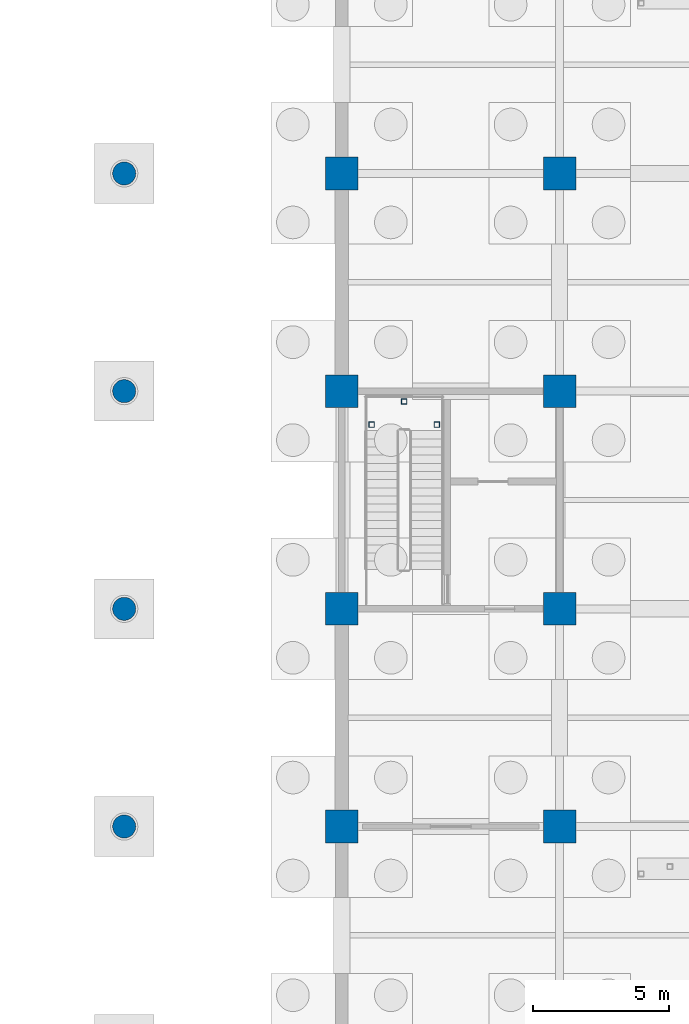
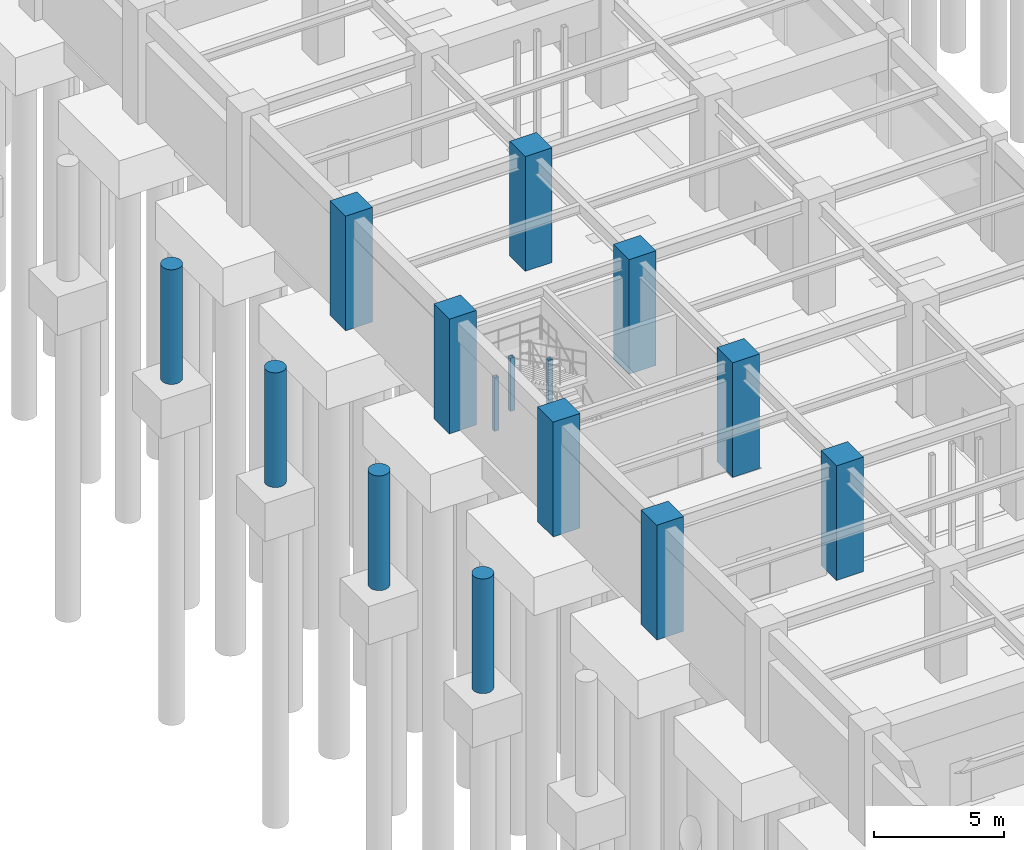
# One storey, part 41 of 97: 15 columns.
"""IFC4 building model written with IfcOpenShell, lengths in metres."""

from ifc_helpers import new_model, si_unit, direction, frame, origin, origin_2d, place, context, subcontext, project, spatial, rectangle, hollow_rectangle, circle, extrude, material, material_profile, profile_set, type_object, element, save


model = new_model("IFC4")

# Units and contexts
model_context = context("Model", 3, precision=1e-05, world=origin(), true_north=direction((0.0, 1.0)))
body_context = subcontext(model_context, "Body", "Model", "MODEL_VIEW")
ifc_project = project(units=[si_unit("LENGTHUNIT", "METRE"), si_unit("AREAUNIT", "SQUARE_METRE"), si_unit("VOLUMEUNIT", "CUBIC_METRE"), si_unit("PLANEANGLEUNIT", "RADIAN"), si_unit("MASSUNIT", "GRAM", prefix="KILO")], contexts=[model_context])

# Site, building, storey
site_placement = place(None, origin())
site = spatial("IfcSite", under=ifc_project, at=site_placement, CompositionType="ELEMENT")
building_placement = place(site_placement, origin())
building = spatial("IfcBuilding", under=site, at=building_placement, Name="Haebicheon Civic Stadium", CompositionType="ELEMENT")
storey_placement = place(building_placement, frame((0.0, 0.0, -5.39990234375)))
storey = spatial("IfcBuildingStorey", under=building, at=storey_placement, Name="B1", CompositionType="ELEMENT", Elevation=-5.39990234375)

# Columns
ifc_material_1 = material(Name="Concrete C40/50", Category="concrete")
ifc_material_profile_1 = material_profile(ifc_material_1, rectangle(XDim=1.199951171875, YDim=1.199951171875, at=origin_2d()), Name="RC-COL-1200x1200")
ifc_profile_set_1 = profile_set([ifc_material_profile_1], Name="Concrete C40/50")
column_type_1 = type_object("IfcColumnType", Name="COL-RC-1200", PredefinedType="COLUMN", material=ifc_profile_set_1)
for number, where, z_axis, x_axis, name in (
    (1, (144.0, 96.0, 0.0), (0.0, 0.0, 1.0), (1.0, 0.0, 0.0), "B1 column 19/N"),
    (2, (144.0, 104.0, 0.0), (0.0, 0.0, 1.0), (1.0, 0.0, 0.0), "B1 column 19/P"),
    (3, (144.0, 112.0, 0.0), (0.0, 0.0, 1.0), (1.0, 0.0, 0.0), "B1 column 19/Q"),
    (4, (144.0, 120.0, 0.0), (0.0, 0.0, 1.0), (1.0, 0.0, 0.0), "B1 column 19/R"),
    (5, (152.0, 96.0, 0.0), (0.0, 0.0, 1.0), (1.0, 0.0, 0.0), "B1 column 20/N"),
    (6, (152.0, 104.0, 0.0), (0.0, 0.0, 1.0), (1.0, 0.0, 0.0), "B1 column 20/P"),
    (7, (152.0, 112.0, 0.0), (0.0, 0.0, 1.0), (1.0, 0.0, 0.0), "B1 column 20/Q"),
    (8, (152.0, 120.0, 0.0), (0.0, 0.0, 1.0), (1.0, 0.0, 0.0), "B1 column 20/R"),
):
    element("IfcColumn", number, at=place(storey_placement, frame(where, z_axis=z_axis, x_axis=x_axis)), inside=storey, type_object=column_type_1, material=ifc_profile_set_1, Name=name, PredefinedType="COLUMN", context=body_context, shape_type="SweptSolid", body=[
        extrude(rectangle(XDim=1.199951171875, YDim=1.199951171875, at=origin_2d()), origin(), (0.0, 0.0, 1.0), 5.39990234375),
    ])
ifc_material_2 = material(Name="Concrete C40/50", Category="concrete")
ifc_material_profile_2 = material_profile(ifc_material_2, circle(Radius=0.425048828125, at=origin_2d()), Name="RC-COL-D850")
ifc_profile_set_2 = profile_set([ifc_material_profile_2], Name="Concrete C40/50")
column_type_2 = type_object("IfcColumnType", Name="COL-RC-D850", PredefinedType="COLUMN", material=ifc_profile_set_2)
for number, where, z_axis, x_axis, name in (
    (9, (136.0, 96.0, 0.0), (0.0, 0.0, 1.0), (1.0, 0.0, 0.0), "Bowl/canopy support column 136/96 (B1)"),
    (10, (136.0, 104.0, 0.0), (0.0, 0.0, 1.0), (1.0, 0.0, 0.0), "Bowl/canopy support column 136/104 (B1)"),
    (11, (136.0, 112.0, 0.0), (0.0, 0.0, 1.0), (1.0, 0.0, 0.0), "Bowl/canopy support column 136/112 (B1)"),
    (12, (136.0, 120.0, 0.0), (0.0, 0.0, 1.0), (1.0, 0.0, 0.0), "Bowl/canopy support column 136/120 (B1)"),
):
    element("IfcColumn", number, at=place(storey_placement, frame(where, z_axis=z_axis, x_axis=x_axis)), inside=storey, type_object=column_type_2, material=ifc_profile_set_2, Name=name, PredefinedType="COLUMN", context=body_context, shape_type="SweptSolid", body=[
        extrude(circle(Radius=0.425048828125, at=origin_2d()), origin(), (0.0, 0.0, 1.0), 5.39990234375),
    ])
ifc_material_3 = material(Name="Steel SM355 (S355)", Category="steel")
ifc_material_profile_3 = material_profile(ifc_material_3, hollow_rectangle(XDim=0.199951171875, YDim=0.199951171875, WallThickness=0.009033203125, at=origin_2d()), Name="RHS-200x200x9.0")
ifc_profile_set_3 = profile_set([ifc_material_profile_3], Name="Steel SM355 (S355)")
column_type_3 = type_object("IfcColumnType", Name="COL-ST-RHS200", PredefinedType="COLUMN", material=ifc_profile_set_3)
for number, where, z_axis, x_axis, name in (
    (13, (145.090087890625, 110.77001953125, 0.0), (0.0, 0.0, 1.0), (1.0, 0.0, 0.0), "KC-11 B1 stair half-landing support post A"),
    (14, (147.489990234375, 110.77001953125, 0.0), (0.0, 0.0, 1.0), (1.0, 0.0, 0.0), "KC-11 B1 stair half-landing support post B"),
    (15, (146.2900390625, 111.6201171875, 0.0), (0.0, 0.0, 1.0), (1.0, 0.0, 0.0), "KC-11 B1 stair half-landing support post C"),
):
    element("IfcColumn", number, at=place(storey_placement, frame(where, z_axis=z_axis, x_axis=x_axis)), inside=storey, type_object=column_type_3, material=ifc_profile_set_3, Name=name, PredefinedType="COLUMN", context=body_context, shape_type="SweptSolid", body=[
        extrude(hollow_rectangle(XDim=0.199951171875, YDim=0.199951171875, WallThickness=0.009033203125, at=origin_2d()), origin(), (0.0, 0.0, 1.0), 2.5),
    ])

save(model, "model.ifc")
